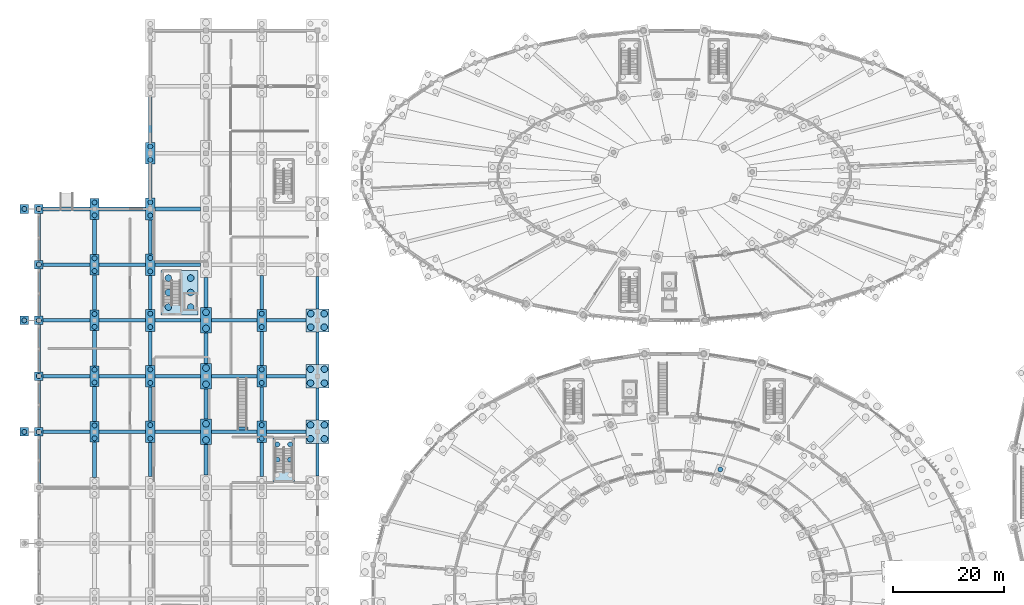
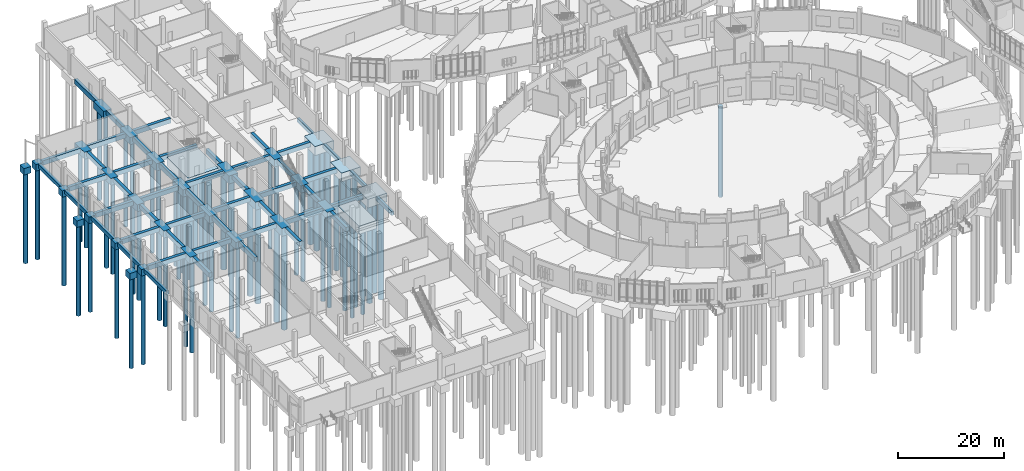
# One storey, part 4 of 140: 81 footings, 65 piles.
"""IFC4 building model written with IfcOpenShell, lengths in metres."""

import ifcopenshell
import ifcopenshell.guid

model = None  # the IFC model being written
_history = None  # IfcOwnerHistory: only IFC2X3 demands one
_inside = {}  # id of a spatial element -> (the spatial element, [elements in it])
_under = {}  # id of a project, library or spatial element -> (it, [spatial elements below it])
_declared = {}  # id of a project -> (the project, [libraries it declares])
_typed = {}  # id of a type object -> (the type object, [elements of that type])
_made_of = {}  # id of a material, layer set ... -> (it, [elements and type objects made of it])


def new_model(schema):
    """Start an empty IFC model of exactly this schema.

    Asked for "IFC4X3", IfcOpenShell would pick the latest addendum, in which some entities
    have other attributes; the version numbers below select the first issue.
    IFC2X3 requires an IfcOwnerHistory on every rooted entity: one is made here for all.
    """
    global model, _history
    if schema == "IFC4X3":
        model = ifcopenshell.file(schema_version=(4, 3, 0, 0))
    else:
        model = ifcopenshell.file(schema=schema)
    _inside.clear()
    _under.clear()
    _declared.clear()
    _typed.clear()
    _made_of.clear()
    _history = None
    if model.schema == "IFC2X3":
        org = make("IfcOrganization", Name="unknown")
        user = make(
            "IfcPersonAndOrganization",
            ThePerson=make("IfcPerson", FamilyName="unknown"),
            TheOrganization=org,
        )
        app = make(
            "IfcApplication",
            ApplicationDeveloper=org,
            Version="unknown",
            ApplicationFullName="unknown",
            ApplicationIdentifier="unknown",
        )
        _history = make(
            "IfcOwnerHistory",
            OwningUser=user,
            OwningApplication=app,
            ChangeAction="ADDED",
            CreationDate=0,
        )
    return model


def make(cls, **values):
    """One entity of the class cls with the attributes given. An attribute that is None is left unset."""
    return model.create_entity(
        cls, **{name: value for name, value in values.items() if value is not None}
    )


def rooted(cls, **values):
    """An entity with a GlobalId (a new one), such as an element, a storey or a relation."""
    return make(cls, GlobalId=ifcopenshell.guid.new(), OwnerHistory=_history, **values)


def si_unit(unit_type, name, prefix=None):
    """IfcSIUnit, for example si_unit("LENGTHUNIT", "METRE", prefix="MILLI")."""
    return make("IfcSIUnit", UnitType=unit_type, Prefix=prefix, Name=name)


def assignment(units):
    """IfcUnitAssignment: the units of a project."""
    return None if units is None else make("IfcUnitAssignment", Units=units)


def point(xyz):
    """IfcCartesianPoint."""
    return None if xyz is None else make("IfcCartesianPoint", Coordinates=xyz)


def direction(xyz):
    """IfcDirection."""
    return None if xyz is None else make("IfcDirection", DirectionRatios=xyz)


def frame(location, z_axis=None, x_axis=None):
    """IfcAxis2Placement3D, a coordinate frame: its origin and axes. An axis left out is left unset."""
    return make(
        "IfcAxis2Placement3D",
        Location=point(location),
        Axis=direction(z_axis),
        RefDirection=direction(x_axis),
    )


def frame_2d(location, x_axis=None):
    """IfcAxis2Placement2D, a coordinate frame in the plane: its origin and x axis."""
    return make(
        "IfcAxis2Placement2D", Location=point(location), RefDirection=direction(x_axis)
    )


def origin():
    """The frame at (0, 0, 0) with its axes left unset."""
    return frame((0.0, 0.0, 0.0))


def origin_2d():
    """The frame at (0, 0) in the plane with its x axis left unset."""
    return frame_2d((0.0, 0.0))


def place(relative_to, where):
    """IfcLocalPlacement: puts the frame where relative to a parent placement (None: the world)."""
    return make(
        "IfcLocalPlacement", PlacementRelTo=relative_to, RelativePlacement=where
    )


def context(
    kind, dimensions, precision=None, world=None, true_north=None, identifier=None
):
    """IfcGeometricRepresentationContext, for example the 3D "Model" context."""
    return make(
        "IfcGeometricRepresentationContext",
        ContextIdentifier=identifier,
        ContextType=kind,
        CoordinateSpaceDimension=dimensions,
        Precision=precision,
        WorldCoordinateSystem=world,
        TrueNorth=true_north,
    )


def subcontext(parent, identifier, kind, view, scale=None):
    """IfcGeometricRepresentationSubContext, for example "Body" below "Model"."""
    return make(
        "IfcGeometricRepresentationSubContext",
        ContextIdentifier=identifier,
        ContextType=kind,
        ParentContext=parent,
        TargetScale=scale,
        TargetView=view,
    )


def project(units=None, contexts=None):
    """IfcProject with its units and contexts."""
    return rooted(
        "IfcProject",
        Name="project",
        RepresentationContexts=contexts,
        UnitsInContext=assignment(units),
    )


def spatial(cls, under=None, at=None, **own):
    """A site, building, storey or space (cls), placed at a placement, below another one or the project."""
    s = rooted(cls, ObjectPlacement=at, **own)
    if under is not None:
        _under.setdefault(under.id(), (under, []))[1].append(s)
    return s


def profile(cls, at=None, kind="AREA", **sizes):
    """A parametric profile (cls). Its sizes go by their IFC names, for example OverallWidth=200.0."""
    return make(cls, ProfileType=kind, Position=at, **sizes)


def rectangle(**sizes):
    """IfcRectangleProfileDef."""
    return profile("IfcRectangleProfileDef", **sizes)


def circle(**sizes):
    """IfcCircleProfileDef."""
    return profile("IfcCircleProfileDef", **sizes)


def extrude(swept, where, along, depth):
    """IfcExtrudedAreaSolid: the profile swept, set in the frame where, extruded along a direction by depth."""
    return make(
        "IfcExtrudedAreaSolid",
        SweptArea=swept,
        Position=where,
        ExtrudedDirection=direction(along),
        Depth=depth,
    )


def shape(context_of_items, identifier, shape_type, items):
    """IfcShapeRepresentation: the items that make up one representation, for example the "Body"."""
    return make(
        "IfcShapeRepresentation",
        ContextOfItems=context_of_items,
        RepresentationIdentifier=identifier,
        RepresentationType=shape_type,
        Items=items,
    )


def material(Name=None, Category=None):
    """IfcMaterial."""
    return make("IfcMaterial", Name=Name, Category=Category)


def layer(
    of_material, thickness, ventilated=None, Name=None, Category=None, Priority=None
):
    """IfcMaterialLayer: one layer of a wall or slab, of a material (None: an air gap)."""
    return make(
        "IfcMaterialLayer",
        Material=of_material,
        LayerThickness=thickness,
        IsVentilated=ventilated,
        Name=Name,
        Category=Category,
        Priority=Priority,
    )


def layer_set(layers, Name=None):
    """IfcMaterialLayerSet."""
    return make("IfcMaterialLayerSet", MaterialLayers=layers, LayerSetName=Name)


def material_profile(
    of_material, cross_section, Name=None, Category=None, Priority=None
):
    """IfcMaterialProfile: a cross section and its material."""
    return make(
        "IfcMaterialProfile",
        Name=Name,
        Material=of_material,
        Profile=cross_section,
        Priority=Priority,
        Category=Category,
    )


def profile_set(profiles, Name=None, composite=None):
    """IfcMaterialProfileSet."""
    return make(
        "IfcMaterialProfileSet",
        Name=Name,
        MaterialProfiles=profiles,
        CompositeProfile=composite,
    )


def made_of(thing, what):
    """Note that an element or type object is made of a material, layer set ...; save() writes the relation."""
    if what is not None:
        _made_of.setdefault(what.id(), (what, []))[1].append(thing)
    return thing


def type_object(cls, material=None, **own):
    """A type object (cls), such as IfcWallType, which elements share."""
    return made_of(rooted(cls, **own), material)


def element(
    cls,
    number,
    at=None,
    inside=None,
    cuts=None,
    type_object=None,
    material=None,
    context=None,
    identifier="Body",
    shape_type=None,
    held_by="IfcProductDefinitionShape",
    body=None,
    shapes=None,
    **own,
):
    """One element of the class cls, such as IfcWall. Its Tag is "e" and its number.

    at: its placement. inside: the storey or other place that contains it. cuts: it is an
    opening in that element (IfcRelVoidsElement). A single representation is given by context,
    identifier, shape_type and body (its items); several are given by shapes. held_by: the class
    of the entity that holds the representations. save() writes the other relations.
    """
    e = rooted(cls, Tag="e%d" % number, ObjectPlacement=at, **own)
    if body is not None:
        shapes = [shape(context, identifier, shape_type, body)]
    if shapes is not None:
        e.Representation = make(held_by, Representations=shapes)
    if inside is not None:
        _inside.setdefault(inside.id(), (inside, []))[1].append(e)
    if cuts is not None:
        rooted(
            "IfcRelVoidsElement", RelatingBuildingElement=cuts, RelatedOpeningElement=e
        )
    if type_object is not None:
        _typed.setdefault(type_object.id(), (type_object, []))[1].append(e)
    return made_of(e, material)


def aggregate(whole, parts):
    """IfcRelAggregates: a whole, such as a stair, and the parts it consists of."""
    return rooted("IfcRelAggregates", RelatingObject=whole, RelatedObjects=parts)


def save(model, path):
    """Write the relations noted so far, then the file.

    IfcRelAggregates (storeys below a building ...), IfcRelContainedInSpatialStructure (elements
    in a storey), IfcRelDefinesByType, IfcRelAssociatesMaterial and IfcRelDeclares: one each for
    every whole, place, type object, material and project.
    """
    for whole, parts in _under.values():
        aggregate(whole, parts)
    for where, things in _inside.values():
        rooted(
            "IfcRelContainedInSpatialStructure",
            RelatedElements=things,
            RelatingStructure=where,
        )
    for kind, things in _typed.values():
        rooted("IfcRelDefinesByType", RelatedObjects=things, RelatingType=kind)
    for what, things in _made_of.values():
        rooted("IfcRelAssociatesMaterial", RelatedObjects=things, RelatingMaterial=what)
    for by, libraries in _declared.values():
        rooted("IfcRelDeclares", RelatingContext=by, RelatedDefinitions=libraries)
    model.write(path)


model = new_model("IFC4")

# Units and contexts
model_context = context("Model", 3, precision=1e-05, world=origin(), true_north=direction((0.0, 1.0)))
body_context = subcontext(model_context, "Body", "Model", "MODEL_VIEW")
ifc_project = project(units=[si_unit("LENGTHUNIT", "METRE"), si_unit("AREAUNIT", "SQUARE_METRE"), si_unit("VOLUMEUNIT", "CUBIC_METRE"), si_unit("PLANEANGLEUNIT", "RADIAN"), si_unit("MASSUNIT", "GRAM", prefix="KILO")], contexts=[model_context])

# Site, building, storey
site_placement = place(None, origin())
site = spatial("IfcSite", under=ifc_project, at=site_placement, CompositionType="ELEMENT")
building_placement = place(site_placement, origin())
building = spatial("IfcBuilding", under=site, at=building_placement, Name="Corvandel Quay Wholesale Market", CompositionType="ELEMENT")
storey_placement = place(building_placement, origin())
storey = spatial("IfcBuildingStorey", under=building, at=storey_placement, Name="L00", CompositionType="ELEMENT", Elevation=0.0)

# Piles
ifc_material = material(Name="Concrete C40/50", Category="concrete")
ifc_material_profile_1 = material_profile(ifc_material, circle(Radius=0.60009765625, at=origin_2d()), Name="RC-PILE-D1200")
ifc_profile_set_1 = profile_set([ifc_material_profile_1], Name="Concrete C40/50")
pile_type_1 = type_object("IfcPileType", Name="Bored Pile D1200 L22.2", PredefinedType="BORED", material=ifc_profile_set_1)
for number, where, z_axis, x_axis, name in (
    (1, (30.0, 68.550048828125, -1.75), (0.0, 0.0, -1.0), (1.0, 0.0, 0.0), "Bored Pile PIL-0650"),
    (2, (30.0, 71.449951171875, -1.75), (0.0, 0.0, -1.0), (1.0, 0.0, 0.0), "Bored Pile PIL-0651"),
    (3, (30.0, 78.550048828125, -1.75), (0.0, 0.0, -1.0), (1.0, 0.0, 0.0), "Bored Pile PIL-0652"),
    (4, (30.0, 81.449951171875, -1.75), (0.0, 0.0, -1.0), (1.0, 0.0, 0.0), "Bored Pile PIL-0653"),
    (5, (30.0, 88.550048828125, -1.75), (0.0, 0.0, -1.0), (1.0, 0.0, 0.0), "Bored Pile PIL-0654"),
    (6, (30.0, 91.449951171875, -1.75), (0.0, 0.0, -1.0), (1.0, 0.0, 0.0), "Bored Pile PIL-0655"),
):
    element("IfcPile", number, at=place(storey_placement, frame(where, z_axis=z_axis, x_axis=x_axis)), inside=storey, type_object=pile_type_1, Name=name, PredefinedType="BORED", context=body_context, shape_type="SweptSolid", body=[
        extrude(circle(Radius=0.60009765625, at=origin_2d()), origin(), (0.0, 0.0, 1.0), 22.199951171875),
    ])
ifc_material_profile_2 = material_profile(ifc_material, circle(Radius=0.60009765625, at=origin_2d()), Name="RC-PILE-D1200")
ifc_profile_set_2 = profile_set([ifc_material_profile_2], Name="Concrete C40/50")
pile_type_2 = type_object("IfcPileType", Name="Bored Pile D1200 L22.6", PredefinedType="BORED", material=ifc_profile_set_2)
for number, where, z_axis, x_axis, name in (
    (7, (23.25, 92.39990234375, -1.89990234375), (0.0, 0.0, -1.0), (1.0, 0.0, 0.0), "Bored Pile PIL-0029"),
    (8, (27.25, 92.39990234375, -1.89990234375), (0.0, 0.0, -1.0), (1.0, 0.0, 0.0), "Bored Pile PIL-0030"),
    (9, (23.25, 95.0, -1.89990234375), (0.0, 0.0, -1.0), (1.0, 0.0, 0.0), "Bored Pile PIL-0031"),
    (10, (27.25, 95.0, -1.89990234375), (0.0, 0.0, -1.0), (1.0, 0.0, 0.0), "Bored Pile PIL-0032"),
    (11, (23.25, 97.60009765625, -1.89990234375), (0.0, 0.0, -1.0), (1.0, 0.0, 0.0), "Bored Pile PIL-0033"),
    (12, (27.25, 97.60009765625, -1.89990234375), (0.0, 0.0, -1.0), (1.0, 0.0, 0.0), "Bored Pile PIL-0034"),
    (13, (48.75, 68.75, -1.89990234375), (0.0, 0.0, -1.0), (1.0, 0.0, 0.0), "Bored Pile PIL-0718"),
    (14, (51.25, 68.75, -1.89990234375), (0.0, 0.0, -1.0), (1.0, 0.0, 0.0), "Bored Pile PIL-0719"),
    (15, (48.75, 71.25, -1.89990234375), (0.0, 0.0, -1.0), (1.0, 0.0, 0.0), "Bored Pile PIL-0720"),
    (16, (51.25, 71.25, -1.89990234375), (0.0, 0.0, -1.0), (1.0, 0.0, 0.0), "Bored Pile PIL-0721"),
    (17, (48.75, 78.75, -1.89990234375), (0.0, 0.0, -1.0), (1.0, 0.0, 0.0), "Bored Pile PIL-0722"),
    (18, (51.25, 78.75, -1.89990234375), (0.0, 0.0, -1.0), (1.0, 0.0, 0.0), "Bored Pile PIL-0723"),
    (19, (48.75, 81.25, -1.89990234375), (0.0, 0.0, -1.0), (1.0, 0.0, 0.0), "Bored Pile PIL-0724"),
    (20, (51.25, 81.25, -1.89990234375), (0.0, 0.0, -1.0), (1.0, 0.0, 0.0), "Bored Pile PIL-0725"),
    (21, (48.800048828125, 88.800048828125, -1.949951171875), (0.0, 0.0, -1.0), (1.0, 0.0, 0.0), "Bored Pile PIL-0726"),
    (22, (51.199951171875, 88.800048828125, -1.949951171875), (0.0, 0.0, -1.0), (1.0, 0.0, 0.0), "Bored Pile PIL-0727"),
    (23, (48.800048828125, 91.199951171875, -1.949951171875), (0.0, 0.0, -1.0), (1.0, 0.0, 0.0), "Bored Pile PIL-0728"),
    (24, (51.199951171875, 91.199951171875, -1.949951171875), (0.0, 0.0, -1.0), (1.0, 0.0, 0.0), "Bored Pile PIL-0729"),
):
    element("IfcPile", number, at=place(storey_placement, frame(where, z_axis=z_axis, x_axis=x_axis)), inside=storey, type_object=pile_type_2, Name=name, PredefinedType="BORED", context=body_context, shape_type="SweptSolid", body=[
        extrude(circle(Radius=0.60009765625, at=origin_2d()), origin(), (0.0, 0.0, 1.0), 22.60009765625),
    ])
ifc_material_profile_3 = material_profile(ifc_material, circle(Radius=0.449951171875, at=origin_2d()), Name="RC-PILE-D900")
ifc_profile_set_3 = profile_set([ifc_material_profile_3], Name="Concrete C40/50")
pile_type_3 = type_object("IfcPileType", Name="Bored Pile D900 L21.0", PredefinedType="BORED", material=ifc_profile_set_3)
for number, where, z_axis, x_axis, name in (
    (25, (122.2939453125, 63.263916015625, -1.5), (0.0, 0.0, -1.0), (1.0, 0.0, 0.0), "Bored Pile PIL-0175"),
    (26, (-2.60009765625, 70.0, -1.39990234375), (0.0, 0.0, -1.0), (1.0, 0.0, 0.0), "Bored Pile PIL-0574"),
    (27, (-2.60009765625, 90.0, -1.39990234375), (0.0, 0.0, -1.0), (1.0, 0.0, 0.0), "Bored Pile PIL-0575"),
    (28, (-2.60009765625, 110.0, -1.39990234375), (0.0, 0.0, -1.0), (1.0, 0.0, 0.0), "Bored Pile PIL-0576"),
    (29, (0.0, 70.0, -1.39990234375), (0.0, 0.0, -1.0), (1.0, 0.0, 0.0), "Bored Pile PIL-0583"),
    (30, (0.0, 80.0, -1.39990234375), (0.0, 0.0, -1.0), (1.0, 0.0, 0.0), "Bored Pile PIL-0584"),
    (31, (0.0, 90.0, -1.39990234375), (0.0, 0.0, -1.0), (1.0, 0.0, 0.0), "Bored Pile PIL-0585"),
    (32, (0.0, 100.0, -1.39990234375), (0.0, 0.0, -1.0), (1.0, 0.0, 0.0), "Bored Pile PIL-0586"),
    (33, (0.0, 110.0, -1.39990234375), (0.0, 0.0, -1.0), (1.0, 0.0, 0.0), "Bored Pile PIL-0587"),
    (34, (10.0, 68.85009765625, -1.5), (0.0, 0.0, -1.0), (1.0, 0.0, 0.0), "Bored Pile PIL-0600"),
    (35, (10.0, 71.14990234375, -1.5), (0.0, 0.0, -1.0), (1.0, 0.0, 0.0), "Bored Pile PIL-0601"),
    (36, (10.0, 78.85009765625, -1.5), (0.0, 0.0, -1.0), (1.0, 0.0, 0.0), "Bored Pile PIL-0602"),
    (37, (10.0, 81.14990234375, -1.5), (0.0, 0.0, -1.0), (1.0, 0.0, 0.0), "Bored Pile PIL-0603"),
    (38, (10.0, 88.85009765625, -1.5), (0.0, 0.0, -1.0), (1.0, 0.0, 0.0), "Bored Pile PIL-0604"),
    (39, (10.0, 91.14990234375, -1.5), (0.0, 0.0, -1.0), (1.0, 0.0, 0.0), "Bored Pile PIL-0605"),
    (40, (10.0, 98.85009765625, -1.5), (0.0, 0.0, -1.0), (1.0, 0.0, 0.0), "Bored Pile PIL-0606"),
    (41, (10.0, 101.14990234375, -1.5), (0.0, 0.0, -1.0), (1.0, 0.0, 0.0), "Bored Pile PIL-0607"),
    (42, (10.0, 108.85009765625, -1.5), (0.0, 0.0, -1.0), (1.0, 0.0, 0.0), "Bored Pile PIL-0608"),
    (43, (10.0, 111.14990234375, -1.5), (0.0, 0.0, -1.0), (1.0, 0.0, 0.0), "Bored Pile PIL-0609"),
    (44, (20.0, 68.800048828125, -1.550048828125), (0.0, 0.0, -1.0), (1.0, 0.0, 0.0), "Bored Pile PIL-0622"),
    (45, (20.0, 71.199951171875, -1.550048828125), (0.0, 0.0, -1.0), (1.0, 0.0, 0.0), "Bored Pile PIL-0623"),
    (46, (20.0, 78.800048828125, -1.550048828125), (0.0, 0.0, -1.0), (1.0, 0.0, 0.0), "Bored Pile PIL-0624"),
    (47, (20.0, 81.199951171875, -1.550048828125), (0.0, 0.0, -1.0), (1.0, 0.0, 0.0), "Bored Pile PIL-0625"),
    (48, (20.0, 88.800048828125, -1.550048828125), (0.0, 0.0, -1.0), (1.0, 0.0, 0.0), "Bored Pile PIL-0626"),
    (49, (20.0, 91.199951171875, -1.550048828125), (0.0, 0.0, -1.0), (1.0, 0.0, 0.0), "Bored Pile PIL-0627"),
    (50, (20.0, 98.800048828125, -1.550048828125), (0.0, 0.0, -1.0), (1.0, 0.0, 0.0), "Bored Pile PIL-0628"),
    (51, (20.0, 101.199951171875, -1.550048828125), (0.0, 0.0, -1.0), (1.0, 0.0, 0.0), "Bored Pile PIL-0629"),
    (52, (20.0, 108.800048828125, -1.550048828125), (0.0, 0.0, -1.0), (1.0, 0.0, 0.0), "Bored Pile PIL-0630"),
    (53, (20.0, 111.199951171875, -1.550048828125), (0.0, 0.0, -1.0), (1.0, 0.0, 0.0), "Bored Pile PIL-0631"),
    (54, (20.0, 118.800048828125, -1.550048828125), (0.0, 0.0, -1.0), (1.0, 0.0, 0.0), "Bored Pile PIL-0632"),
    (55, (20.0, 121.199951171875, -1.550048828125), (0.0, 0.0, -1.0), (1.0, 0.0, 0.0), "Bored Pile PIL-0633"),
    (56, (40.0, 68.800048828125, -1.550048828125), (0.0, 0.0, -1.0), (1.0, 0.0, 0.0), "Bored Pile PIL-0678"),
    (57, (40.0, 71.199951171875, -1.550048828125), (0.0, 0.0, -1.0), (1.0, 0.0, 0.0), "Bored Pile PIL-0679"),
    (58, (40.0, 78.800048828125, -1.550048828125), (0.0, 0.0, -1.0), (1.0, 0.0, 0.0), "Bored Pile PIL-0680"),
    (59, (40.0, 81.199951171875, -1.550048828125), (0.0, 0.0, -1.0), (1.0, 0.0, 0.0), "Bored Pile PIL-0681"),
    (60, (40.0, 88.800048828125, -1.550048828125), (0.0, 0.0, -1.0), (1.0, 0.0, 0.0), "Bored Pile PIL-0682"),
    (61, (40.0, 91.199951171875, -1.550048828125), (0.0, 0.0, -1.0), (1.0, 0.0, 0.0), "Bored Pile PIL-0683"),
):
    element("IfcPile", number, at=place(storey_placement, frame(where, z_axis=z_axis, x_axis=x_axis)), inside=storey, type_object=pile_type_3, Name=name, PredefinedType="BORED", context=body_context, shape_type="SweptSolid", body=[
        extrude(circle(Radius=0.449951171875, at=origin_2d()), origin(), (0.0, 0.0, 1.0), 21.0),
    ])
ifc_material_profile_4 = material_profile(ifc_material, circle(Radius=0.449951171875, at=origin_2d()), Name="RC-PILE-D900")
ifc_profile_set_4 = profile_set([ifc_material_profile_4], Name="Concrete C40/50")
pile_type_4 = type_object("IfcPileType", Name="Bored Pile D900 L21.8", PredefinedType="BORED", material=ifc_profile_set_4)
for number, where, z_axis, x_axis, name in (
    (62, (42.800048828125, 65.0, -1.800048828125), (0.0, 0.0, -1.0), (1.0, 0.0, 0.0), "Bored Pile PIL-0085"),
    (63, (45.10009765625, 65.0, -1.800048828125), (0.0, 0.0, -1.0), (1.0, 0.0, 0.0), "Bored Pile PIL-0086"),
    (64, (42.800048828125, 67.75, -1.800048828125), (0.0, 0.0, -1.0), (1.0, 0.0, 0.0), "Bored Pile PIL-0087"),
    (65, (45.10009765625, 67.75, -1.800048828125), (0.0, 0.0, -1.0), (1.0, 0.0, 0.0), "Bored Pile PIL-0088"),
):
    element("IfcPile", number, at=place(storey_placement, frame(where, z_axis=z_axis, x_axis=x_axis)), inside=storey, type_object=pile_type_4, Name=name, PredefinedType="BORED", context=body_context, shape_type="SweptSolid", body=[
        extrude(circle(Radius=0.449951171875, at=origin_2d()), origin(), (0.0, 0.0, 1.0), 21.800048828125),
    ])

# Footings
ifc_layer_1 = layer(ifc_material, 1.050048828125)
ifc_layer_set_1 = layer_set([ifc_layer_1], Name="Concrete C40/50")
footing_type_1 = type_object("IfcFootingType", Name="Cold Store Grade Beam GB04 650x1050", PredefinedType="FOOTING_BEAM", material=ifc_layer_set_1)
footing_1_placement = place(storey_placement, frame((4.987060546875, 70.0, -1.0498046875), z_axis=(0.0, 0.0, 1.0), x_axis=(1.0, 0.0, 0.0)))
element("IfcFooting", 66, at=footing_1_placement, inside=storey, type_object=footing_type_1, Name="Grade Beam FND-0517", PredefinedType="FOOTING_BEAM", context=body_context, shape_type="SweptSolid", body=[
    extrude(rectangle(XDim=8.425048828125, YDim=0.64990234375, at=origin_2d()), origin(), (0.0, 0.0, 1.0), 1.050048828125),
])
footing_2_placement = place(storey_placement, frame((14.962890625, 70.0, -1.0498046875), z_axis=(0.0, 0.0, 1.0), x_axis=(1.0, 0.0, 0.0)))
element("IfcFooting", 67, at=footing_2_placement, inside=storey, type_object=footing_type_1, Name="Grade Beam FND-0518", PredefinedType="FOOTING_BEAM", context=body_context, shape_type="SweptSolid", body=[
    extrude(rectangle(XDim=8.324951171875, YDim=0.64990234375, at=origin_2d()), origin(), (0.0, 0.0, 1.0), 1.050048828125),
])
for number, where, z_axis, x_axis, name in (
    (68, (24.93798828125, 70.0, -1.0498046875), (0.0, 0.0, 1.0), (1.0, 0.0, 0.0), "Grade Beam FND-0519"),
    (69, (35.06201171875, 70.0, -1.0498046875), (0.0, 0.0, 1.0), (1.0, 0.0, 0.0), "Grade Beam FND-0520"),
):
    element("IfcFooting", number, at=place(storey_placement, frame(where, z_axis=z_axis, x_axis=x_axis)), inside=storey, type_object=footing_type_1, Name=name, PredefinedType="FOOTING_BEAM", context=body_context, shape_type="SweptSolid", body=[
        extrude(rectangle(XDim=8.125, YDim=0.64990234375, at=origin_2d()), origin(), (0.0, 0.0, 1.0), 1.050048828125),
    ])
footing_3_placement = place(storey_placement, frame((44.387939453125, 70.0, -1.0498046875), z_axis=(0.0, 0.0, 1.0), x_axis=(1.0, 0.0, 0.0)))
element("IfcFooting", 70, at=footing_3_placement, inside=storey, type_object=footing_type_1, Name="Grade Beam FND-0521", PredefinedType="FOOTING_BEAM", context=body_context, shape_type="SweptSolid", body=[
    extrude(rectangle(XDim=7.02490234375, YDim=0.64990234375, at=origin_2d()), origin(), (0.0, 0.0, 1.0), 1.050048828125),
])
footing_4_placement = place(storey_placement, frame((4.987060546875, 80.0, -1.0498046875), z_axis=(0.0, 0.0, 1.0), x_axis=(1.0, 0.0, 0.0)))
element("IfcFooting", 71, at=footing_4_placement, inside=storey, type_object=footing_type_1, Name="Grade Beam FND-0522", PredefinedType="FOOTING_BEAM", context=body_context, shape_type="SweptSolid", body=[
    extrude(rectangle(XDim=8.425048828125, YDim=0.64990234375, at=origin_2d()), origin(), (0.0, 0.0, 1.0), 1.050048828125),
])
footing_5_placement = place(storey_placement, frame((14.962890625, 80.0, -1.0498046875), z_axis=(0.0, 0.0, 1.0), x_axis=(1.0, 0.0, 0.0)))
element("IfcFooting", 72, at=footing_5_placement, inside=storey, type_object=footing_type_1, Name="Grade Beam FND-0523", PredefinedType="FOOTING_BEAM", context=body_context, shape_type="SweptSolid", body=[
    extrude(rectangle(XDim=8.324951171875, YDim=0.64990234375, at=origin_2d()), origin(), (0.0, 0.0, 1.0), 1.050048828125),
])
for number, where, z_axis, x_axis, name in (
    (73, (24.93798828125, 80.0, -1.0498046875), (0.0, 0.0, 1.0), (1.0, 0.0, 0.0), "Grade Beam FND-0524"),
    (74, (35.06201171875, 80.0, -1.0498046875), (0.0, 0.0, 1.0), (1.0, 0.0, 0.0), "Grade Beam FND-0525"),
):
    element("IfcFooting", number, at=place(storey_placement, frame(where, z_axis=z_axis, x_axis=x_axis)), inside=storey, type_object=footing_type_1, Name=name, PredefinedType="FOOTING_BEAM", context=body_context, shape_type="SweptSolid", body=[
        extrude(rectangle(XDim=8.125, YDim=0.64990234375, at=origin_2d()), origin(), (0.0, 0.0, 1.0), 1.050048828125),
    ])
footing_6_placement = place(storey_placement, frame((44.387939453125, 80.0, -1.0498046875), z_axis=(0.0, 0.0, 1.0), x_axis=(1.0, 0.0, 0.0)))
element("IfcFooting", 75, at=footing_6_placement, inside=storey, type_object=footing_type_1, Name="Grade Beam FND-0526", PredefinedType="FOOTING_BEAM", context=body_context, shape_type="SweptSolid", body=[
    extrude(rectangle(XDim=7.02490234375, YDim=0.64990234375, at=origin_2d()), origin(), (0.0, 0.0, 1.0), 1.050048828125),
])
footing_7_placement = place(storey_placement, frame((4.987060546875, 90.0, -1.0498046875), z_axis=(0.0, 0.0, 1.0), x_axis=(1.0, 0.0, 0.0)))
element("IfcFooting", 76, at=footing_7_placement, inside=storey, type_object=footing_type_1, Name="Grade Beam FND-0527", PredefinedType="FOOTING_BEAM", context=body_context, shape_type="SweptSolid", body=[
    extrude(rectangle(XDim=8.425048828125, YDim=0.64990234375, at=origin_2d()), origin(), (0.0, 0.0, 1.0), 1.050048828125),
])
footing_8_placement = place(storey_placement, frame((14.962890625, 90.0, -1.0498046875), z_axis=(0.0, 0.0, 1.0), x_axis=(1.0, 0.0, 0.0)))
element("IfcFooting", 77, at=footing_8_placement, inside=storey, type_object=footing_type_1, Name="Grade Beam FND-0528", PredefinedType="FOOTING_BEAM", context=body_context, shape_type="SweptSolid", body=[
    extrude(rectangle(XDim=8.324951171875, YDim=0.64990234375, at=origin_2d()), origin(), (0.0, 0.0, 1.0), 1.050048828125),
])
for number, where, z_axis, x_axis, name in (
    (78, (24.93798828125, 90.0, -1.0498046875), (0.0, 0.0, 1.0), (1.0, 0.0, 0.0), "Grade Beam FND-0529"),
    (79, (35.06201171875, 90.0, -1.0498046875), (0.0, 0.0, 1.0), (1.0, 0.0, 0.0), "Grade Beam FND-0530"),
):
    element("IfcFooting", number, at=place(storey_placement, frame(where, z_axis=z_axis, x_axis=x_axis)), inside=storey, type_object=footing_type_1, Name=name, PredefinedType="FOOTING_BEAM", context=body_context, shape_type="SweptSolid", body=[
        extrude(rectangle(XDim=8.125, YDim=0.64990234375, at=origin_2d()), origin(), (0.0, 0.0, 1.0), 1.050048828125),
    ])
footing_9_placement = place(storey_placement, frame((44.4130859375, 90.0, -1.0498046875), z_axis=(0.0, 0.0, 1.0), x_axis=(1.0, 0.0, 0.0)))
element("IfcFooting", 80, at=footing_9_placement, inside=storey, type_object=footing_type_1, Name="Grade Beam FND-0531", PredefinedType="FOOTING_BEAM", context=body_context, shape_type="SweptSolid", body=[
    extrude(rectangle(XDim=7.074951171875, YDim=0.64990234375, at=origin_2d()), origin(), (0.0, 0.0, 1.0), 1.050048828125),
])
footing_10_placement = place(storey_placement, frame((4.987060546875, 100.0, -1.0498046875), z_axis=(0.0, 0.0, 1.0), x_axis=(1.0, 0.0, 0.0)))
element("IfcFooting", 81, at=footing_10_placement, inside=storey, type_object=footing_type_1, Name="Grade Beam FND-0532", PredefinedType="FOOTING_BEAM", context=body_context, shape_type="SweptSolid", body=[
    extrude(rectangle(XDim=8.425048828125, YDim=0.64990234375, at=origin_2d()), origin(), (0.0, 0.0, 1.0), 1.050048828125),
])
footing_11_placement = place(storey_placement, frame((14.962890625, 100.0, -1.0498046875), z_axis=(0.0, 0.0, 1.0), x_axis=(1.0, 0.0, 0.0)))
element("IfcFooting", 82, at=footing_11_placement, inside=storey, type_object=footing_type_1, Name="Grade Beam FND-0533", PredefinedType="FOOTING_BEAM", context=body_context, shape_type="SweptSolid", body=[
    extrude(rectangle(XDim=8.324951171875, YDim=0.64990234375, at=origin_2d()), origin(), (0.0, 0.0, 1.0), 1.050048828125),
])
footing_12_placement = place(storey_placement, frame((24.93798828125, 100.0, -1.0498046875), z_axis=(0.0, 0.0, 1.0), x_axis=(1.0, 0.0, 0.0)))
element("IfcFooting", 83, at=footing_12_placement, inside=storey, type_object=footing_type_1, Name="Grade Beam FND-0534", PredefinedType="FOOTING_BEAM", context=body_context, shape_type="SweptSolid", body=[
    extrude(rectangle(XDim=8.125, YDim=0.64990234375, at=origin_2d()), origin(), (0.0, 0.0, 1.0), 1.050048828125),
])
footing_13_placement = place(storey_placement, frame((4.987060546875, 110.0, -1.0498046875), z_axis=(0.0, 0.0, 1.0), x_axis=(1.0, 0.0, 0.0)))
element("IfcFooting", 84, at=footing_13_placement, inside=storey, type_object=footing_type_1, Name="Grade Beam FND-0537", PredefinedType="FOOTING_BEAM", context=body_context, shape_type="SweptSolid", body=[
    extrude(rectangle(XDim=8.425048828125, YDim=0.64990234375, at=origin_2d()), origin(), (0.0, 0.0, 1.0), 1.050048828125),
])
footing_14_placement = place(storey_placement, frame((14.962890625, 110.0, -1.0498046875), z_axis=(0.0, 0.0, 1.0), x_axis=(1.0, 0.0, 0.0)))
element("IfcFooting", 85, at=footing_14_placement, inside=storey, type_object=footing_type_1, Name="Grade Beam FND-0538", PredefinedType="FOOTING_BEAM", context=body_context, shape_type="SweptSolid", body=[
    extrude(rectangle(XDim=8.324951171875, YDim=0.64990234375, at=origin_2d()), origin(), (0.0, 0.0, 1.0), 1.050048828125),
])
footing_15_placement = place(storey_placement, frame((24.93798828125, 110.0, -1.0498046875), z_axis=(0.0, 0.0, 1.0), x_axis=(1.0, 0.0, 0.0)))
element("IfcFooting", 86, at=footing_15_placement, inside=storey, type_object=footing_type_1, Name="Grade Beam FND-0539", PredefinedType="FOOTING_BEAM", context=body_context, shape_type="SweptSolid", body=[
    extrude(rectangle(XDim=8.125, YDim=0.64990234375, at=origin_2d()), origin(), (0.0, 0.0, 1.0), 1.050048828125),
])
for number, where, z_axis, x_axis, name in (
    (87, (10.0, 65.0, -1.0498046875), (0.0, 0.0, 1.0), (0.0, 1.0, 0.0), "Grade Beam FND-0566"),
    (88, (10.0, 75.0, -1.0498046875), (0.0, 0.0, 1.0), (0.0, 1.0, 0.0), "Grade Beam FND-0567"),
    (89, (10.0, 85.0, -1.0498046875), (0.0, 0.0, 1.0), (0.0, 1.0, 0.0), "Grade Beam FND-0568"),
    (90, (10.0, 95.0, -1.0498046875), (0.0, 0.0, 1.0), (0.0, 1.0, 0.0), "Grade Beam FND-0569"),
    (91, (10.0, 105.0, -1.0498046875), (0.0, 0.0, 1.0), (0.0, 1.0, 0.0), "Grade Beam FND-0570"),
):
    element("IfcFooting", number, at=place(storey_placement, frame(where, z_axis=z_axis, x_axis=x_axis)), inside=storey, type_object=footing_type_1, Name=name, PredefinedType="FOOTING_BEAM", context=body_context, shape_type="SweptSolid", body=[
        extrude(rectangle(XDim=6.300048828125, YDim=0.64990234375, at=origin_2d()), origin(), (0.0, 0.0, 1.0), 1.050048828125),
    ])
for number, where, z_axis, x_axis, name in (
    (92, (20.0, 65.0, -1.0498046875), (0.0, 0.0, 1.0), (0.0, 1.0, 0.0), "Grade Beam FND-0576"),
    (93, (20.0, 75.0, -1.0498046875), (0.0, 0.0, 1.0), (0.0, 1.0, 0.0), "Grade Beam FND-0577"),
    (94, (20.0, 85.0, -1.0498046875), (0.0, 0.0, 1.0), (0.0, 1.0, 0.0), "Grade Beam FND-0578"),
    (95, (20.0, 95.0, -1.0498046875), (0.0, 0.0, 1.0), (0.0, 1.0, 0.0), "Grade Beam FND-0579"),
    (96, (20.0, 105.0, -1.0498046875), (0.0, 0.0, 1.0), (0.0, 1.0, 0.0), "Grade Beam FND-0580"),
    (97, (20.0, 115.0, -1.0498046875), (0.0, 0.0, 1.0), (0.0, 1.0, 0.0), "Grade Beam FND-0581"),
):
    element("IfcFooting", number, at=place(storey_placement, frame(where, z_axis=z_axis, x_axis=x_axis)), inside=storey, type_object=footing_type_1, Name=name, PredefinedType="FOOTING_BEAM", context=body_context, shape_type="SweptSolid", body=[
        extrude(rectangle(XDim=6.10009765625, YDim=0.64990234375, at=origin_2d()), origin(), (0.0, 0.0, 1.0), 1.050048828125),
    ])
footing_16_placement = place(storey_placement, frame((20.0, 126.0, -1.0498046875), z_axis=(0.0, 0.0, 1.0), x_axis=(0.0, 1.0, 0.0)))
element("IfcFooting", 98, at=footing_16_placement, inside=storey, type_object=footing_type_1, Name="Grade Beam FND-0582", PredefinedType="FOOTING_BEAM", context=body_context, shape_type="SweptSolid", body=[
    extrude(rectangle(XDim=8.10009765625, YDim=0.64990234375, at=origin_2d()), origin(), (0.0, 0.0, 1.0), 1.050048828125),
])
for number, where, z_axis, x_axis, name in (
    (99, (30.0, 65.0, -1.0498046875), (0.0, 0.0, 1.0), (0.0, 1.0, 0.0), "Grade Beam FND-0589"),
    (100, (30.0, 75.0, -1.0498046875), (0.0, 0.0, 1.0), (0.0, 1.0, 0.0), "Grade Beam FND-0590"),
    (101, (30.0, 85.0, -1.0498046875), (0.0, 0.0, 1.0), (0.0, 1.0, 0.0), "Grade Beam FND-0591"),
    (102, (30.0, 95.0, -1.0498046875), (0.0, 0.0, 1.0), (0.0, 1.0, 0.0), "Grade Beam FND-0592"),
):
    element("IfcFooting", number, at=place(storey_placement, frame(where, z_axis=z_axis, x_axis=x_axis)), inside=storey, type_object=footing_type_1, Name=name, PredefinedType="FOOTING_BEAM", context=body_context, shape_type="SweptSolid", body=[
        extrude(rectangle(XDim=5.39990234375, YDim=0.64990234375, at=origin_2d()), origin(), (0.0, 0.0, 1.0), 1.050048828125),
    ])
for number, where, z_axis, x_axis, name in (
    (103, (40.0, 65.0, -1.0498046875), (0.0, 0.0, 1.0), (0.0, 1.0, 0.0), "Grade Beam FND-0602"),
    (104, (40.0, 75.0, -1.0498046875), (0.0, 0.0, 1.0), (0.0, 1.0, 0.0), "Grade Beam FND-0603"),
    (105, (40.0, 85.0, -1.0498046875), (0.0, 0.0, 1.0), (0.0, 1.0, 0.0), "Grade Beam FND-0604"),
    (106, (40.0, 95.0, -1.0498046875), (0.0, 0.0, 1.0), (0.0, 1.0, 0.0), "Grade Beam FND-0605"),
):
    element("IfcFooting", number, at=place(storey_placement, frame(where, z_axis=z_axis, x_axis=x_axis)), inside=storey, type_object=footing_type_1, Name=name, PredefinedType="FOOTING_BEAM", context=body_context, shape_type="SweptSolid", body=[
        extrude(rectangle(XDim=6.10009765625, YDim=0.64990234375, at=origin_2d()), origin(), (0.0, 0.0, 1.0), 1.050048828125),
    ])
ifc_layer_2 = layer(ifc_material, 2.0)
ifc_layer_set_2 = layer_set([ifc_layer_2], Name="Concrete C40/50")
footing_type_2 = type_object("IfcFootingType", Name="Core Mat Cap PC19 6600x8000x2000", PredefinedType="PILE_CAP", material=ifc_layer_set_2)
footing_17_placement = place(storey_placement, frame((25.25, 95.0, -2.0), z_axis=(0.0, 0.0, 1.0), x_axis=(1.0, 0.0, 0.0)))
element("IfcFooting", 107, at=footing_17_placement, inside=storey, type_object=footing_type_2, Name="Pile Cap FND-0007", PredefinedType="PILE_CAP", context=body_context, shape_type="SweptSolid", body=[
    extrude(rectangle(XDim=6.60009765625, YDim=8.0, at=origin_2d()), origin(), (0.0, 0.0, 1.0), 2.0),
])
ifc_layer_3 = layer(ifc_material, 0.89990234375)
ifc_layer_set_3 = layer_set([ifc_layer_3], Name="Concrete C40/50")
footing_type_3 = type_object("IfcFootingType", Name="Perimeter Grade Beam GB03 550x900", PredefinedType="FOOTING_BEAM", material=ifc_layer_set_3)
for number, where, z_axis, x_axis, name in (
    (108, (0.0, 65.0, -0.89990234375), (0.0, 0.0, 1.0), (0.0, 1.0, 0.0), "Grade Beam FND-0556"),
    (109, (0.0, 75.0, -0.89990234375), (0.0, 0.0, 1.0), (0.0, 1.0, 0.0), "Grade Beam FND-0557"),
    (110, (0.0, 85.0, -0.89990234375), (0.0, 0.0, 1.0), (0.0, 1.0, 0.0), "Grade Beam FND-0558"),
    (111, (0.0, 95.0, -0.89990234375), (0.0, 0.0, 1.0), (0.0, 1.0, 0.0), "Grade Beam FND-0559"),
    (112, (0.0, 105.0, -0.89990234375), (0.0, 0.0, 1.0), (0.0, 1.0, 0.0), "Grade Beam FND-0560"),
):
    element("IfcFooting", number, at=place(storey_placement, frame(where, z_axis=z_axis, x_axis=x_axis)), inside=storey, type_object=footing_type_3, Name=name, PredefinedType="FOOTING_BEAM", context=body_context, shape_type="SweptSolid", body=[
        extrude(rectangle(XDim=8.449951171875, YDim=0.550048828125, at=origin_2d()), origin(), (0.0, 0.0, 1.0), 0.89990234375),
    ])
for number, where, z_axis, x_axis, name in (
    (113, (50.0, 65.0, -0.89990234375), (0.0, 0.0, 1.0), (0.0, 1.0, 0.0), "Grade Beam FND-0615"),
    (114, (50.0, 75.0, -0.89990234375), (0.0, 0.0, 1.0), (0.0, 1.0, 0.0), "Grade Beam FND-0616"),
):
    element("IfcFooting", number, at=place(storey_placement, frame(where, z_axis=z_axis, x_axis=x_axis)), inside=storey, type_object=footing_type_3, Name=name, PredefinedType="FOOTING_BEAM", context=body_context, shape_type="SweptSolid", body=[
        extrude(rectangle(XDim=5.800048828125, YDim=0.550048828125, at=origin_2d()), origin(), (0.0, 0.0, 1.0), 0.89990234375),
    ])
for number, where, z_axis, x_axis, name in (
    (115, (50.0, 85.02490234375, -0.89990234375), (0.0, 0.0, 1.0), (0.0, 1.0, 0.0), "Grade Beam FND-0617"),
    (116, (50.0, 94.97509765625, -0.89990234375), (0.0, 0.0, 1.0), (0.0, 1.0, 0.0), "Grade Beam FND-0618"),
):
    element("IfcFooting", number, at=place(storey_placement, frame(where, z_axis=z_axis, x_axis=x_axis)), inside=storey, type_object=footing_type_3, Name=name, PredefinedType="FOOTING_BEAM", context=body_context, shape_type="SweptSolid", body=[
        extrude(rectangle(XDim=5.85009765625, YDim=0.550048828125, at=origin_2d()), origin(), (0.0, 0.0, 1.0), 0.89990234375),
    ])
footing_18_placement = place(storey_placement, frame((36.5, 70.60009765625, -0.89990234375), z_axis=(0.0, 0.0, 1.0), x_axis=(1.0, 0.0, 0.0)))
element("IfcFooting", 117, at=footing_18_placement, inside=storey, type_object=footing_type_3, Name="Stair Toe Grade Beam FND-0780", PredefinedType="FOOTING_BEAM", context=body_context, shape_type="SweptSolid", body=[
    extrude(rectangle(XDim=2.0, YDim=0.550048828125, at=origin_2d()), origin(), (0.0, 0.0, 1.0), 0.89990234375),
])
ifc_layer_4 = layer(ifc_material, 1.60009765625)
ifc_layer_set_4 = layer_set([ifc_layer_4], Name="Concrete C40/50")
footing_type_4 = type_object("IfcFootingType", Name="Pile Cap PC01 1600x3700x1600", PredefinedType="PILE_CAP", material=ifc_layer_set_4)
for number, where, z_axis, x_axis, name in (
    (118, (10.0, 70.0, -1.60009765625), (0.0, 0.0, 1.0), (1.0, 0.0, 0.0), "Pile Cap FND-0426"),
    (119, (10.0, 80.0, -1.60009765625), (0.0, 0.0, 1.0), (1.0, 0.0, 0.0), "Pile Cap FND-0427"),
    (120, (10.0, 90.0, -1.60009765625), (0.0, 0.0, 1.0), (1.0, 0.0, 0.0), "Pile Cap FND-0428"),
    (121, (10.0, 100.0, -1.60009765625), (0.0, 0.0, 1.0), (1.0, 0.0, 0.0), "Pile Cap FND-0429"),
    (122, (10.0, 110.0, -1.60009765625), (0.0, 0.0, 1.0), (1.0, 0.0, 0.0), "Pile Cap FND-0430"),
):
    element("IfcFooting", number, at=place(storey_placement, frame(where, z_axis=z_axis, x_axis=x_axis)), inside=storey, type_object=footing_type_4, Name=name, PredefinedType="PILE_CAP", context=body_context, shape_type="SweptSolid", body=[
        extrude(rectangle(XDim=1.60009765625, YDim=3.699951171875, at=origin_2d()), origin(), (0.0, 0.0, 1.0), 1.60009765625),
    ])
ifc_layer_5 = layer(ifc_material, 1.64990234375)
ifc_layer_set_5 = layer_set([ifc_layer_5], Name="Concrete C40/50")
footing_type_5 = type_object("IfcFootingType", Name="Pile Cap PC03 1750x3900x1650", PredefinedType="PILE_CAP", material=ifc_layer_set_5)
for number, where, z_axis, x_axis, name in (
    (123, (20.0, 70.0, -1.64990234375), (0.0, 0.0, 1.0), (1.0, 0.0, 0.0), "Pile Cap FND-0437"),
    (124, (20.0, 80.0, -1.64990234375), (0.0, 0.0, 1.0), (1.0, 0.0, 0.0), "Pile Cap FND-0438"),
    (125, (20.0, 90.0, -1.64990234375), (0.0, 0.0, 1.0), (1.0, 0.0, 0.0), "Pile Cap FND-0439"),
    (126, (20.0, 100.0, -1.64990234375), (0.0, 0.0, 1.0), (1.0, 0.0, 0.0), "Pile Cap FND-0440"),
    (127, (20.0, 110.0, -1.64990234375), (0.0, 0.0, 1.0), (1.0, 0.0, 0.0), "Pile Cap FND-0441"),
    (128, (20.0, 120.0, -1.64990234375), (0.0, 0.0, 1.0), (1.0, 0.0, 0.0), "Pile Cap FND-0442"),
    (129, (40.0, 70.0, -1.64990234375), (0.0, 0.0, 1.0), (1.0, 0.0, 0.0), "Pile Cap FND-0465"),
    (130, (40.0, 80.0, -1.64990234375), (0.0, 0.0, 1.0), (1.0, 0.0, 0.0), "Pile Cap FND-0466"),
    (131, (40.0, 90.0, -1.64990234375), (0.0, 0.0, 1.0), (1.0, 0.0, 0.0), "Pile Cap FND-0467"),
):
    element("IfcFooting", number, at=place(storey_placement, frame(where, z_axis=z_axis, x_axis=x_axis)), inside=storey, type_object=footing_type_5, Name=name, PredefinedType="PILE_CAP", context=body_context, shape_type="SweptSolid", body=[
        extrude(rectangle(XDim=1.75, YDim=3.89990234375, at=origin_2d()), origin(), (0.0, 0.0, 1.0), 1.64990234375),
    ])
ifc_layer_6 = layer(ifc_material, 1.85009765625)
ifc_layer_set_6 = layer_set([ifc_layer_6], Name="Concrete C40/50")
footing_type_6 = type_object("IfcFootingType", Name="Pile Cap PC09 2000x4600x1850", PredefinedType="PILE_CAP", material=ifc_layer_set_6)
for number, where, z_axis, x_axis, name in (
    (132, (30.0, 70.0, -1.85009765625), (0.0, 0.0, 1.0), (1.0, 0.0, 0.0), "Pile Cap FND-0451"),
    (133, (30.0, 80.0, -1.85009765625), (0.0, 0.0, 1.0), (1.0, 0.0, 0.0), "Pile Cap FND-0452"),
    (134, (30.0, 90.0, -1.85009765625), (0.0, 0.0, 1.0), (1.0, 0.0, 0.0), "Pile Cap FND-0453"),
):
    element("IfcFooting", number, at=place(storey_placement, frame(where, z_axis=z_axis, x_axis=x_axis)), inside=storey, type_object=footing_type_6, Name=name, PredefinedType="PILE_CAP", context=body_context, shape_type="SweptSolid", body=[
        extrude(rectangle(XDim=2.0, YDim=4.60009765625, at=origin_2d()), origin(), (0.0, 0.0, 1.0), 1.85009765625),
    ])
ifc_layer_7 = layer(ifc_material, 2.0)
ifc_layer_set_7 = layer_set([ifc_layer_7], Name="Concrete C40/50")
footing_type_7 = type_object("IfcFootingType", Name="Pile Cap PC12 4200x4200x2000", PredefinedType="PILE_CAP", material=ifc_layer_set_7)
for number, where, z_axis, x_axis, name in (
    (135, (50.0, 70.0, -2.0), (0.0, 0.0, 1.0), (1.0, 0.0, 0.0), "Pile Cap FND-0479"),
    (136, (50.0, 80.0, -2.0), (0.0, 0.0, 1.0), (1.0, 0.0, 0.0), "Pile Cap FND-0480"),
):
    element("IfcFooting", number, at=place(storey_placement, frame(where, z_axis=z_axis, x_axis=x_axis)), inside=storey, type_object=footing_type_7, Name=name, PredefinedType="PILE_CAP", context=body_context, shape_type="SweptSolid", body=[
        extrude(rectangle(XDim=4.199951171875, YDim=4.199951171875, at=origin_2d()), origin(), (0.0, 0.0, 1.0), 2.0),
    ])
ifc_layer_8 = layer(ifc_material, 1.5)
ifc_layer_set_8 = layer_set([ifc_layer_8], Name="Concrete C40/50")
footing_type_8 = type_object("IfcFootingType", Name="Pile Cap PC15 1550x1550x1500", PredefinedType="PILE_CAP", material=ifc_layer_set_8)
for number, where, z_axis, x_axis, name in (
    (137, (-2.60009765625, 70.0, -1.5), (0.0, 0.0, 1.0), (1.0, 0.0, 0.0), "Pile Cap FND-0406"),
    (138, (-2.60009765625, 90.0, -1.5), (0.0, 0.0, 1.0), (1.0, 0.0, 0.0), "Pile Cap FND-0407"),
    (139, (-2.60009765625, 110.0, -1.5), (0.0, 0.0, 1.0), (1.0, 0.0, 0.0), "Pile Cap FND-0408"),
    (140, (0.0, 70.0, -1.5), (0.0, 0.0, 1.0), (1.0, 0.0, 0.0), "Pile Cap FND-0415"),
    (141, (0.0, 80.0, -1.5), (0.0, 0.0, 1.0), (1.0, 0.0, 0.0), "Pile Cap FND-0416"),
    (142, (0.0, 90.0, -1.5), (0.0, 0.0, 1.0), (1.0, 0.0, 0.0), "Pile Cap FND-0417"),
    (143, (0.0, 100.0, -1.5), (0.0, 0.0, 1.0), (1.0, 0.0, 0.0), "Pile Cap FND-0418"),
    (144, (0.0, 110.0, -1.5), (0.0, 0.0, 1.0), (1.0, 0.0, 0.0), "Pile Cap FND-0419"),
):
    element("IfcFooting", number, at=place(storey_placement, frame(where, z_axis=z_axis, x_axis=x_axis)), inside=storey, type_object=footing_type_8, Name=name, PredefinedType="PILE_CAP", context=body_context, shape_type="SweptSolid", body=[
        extrude(rectangle(XDim=1.550048828125, YDim=1.550048828125, at=origin_2d()), origin(), (0.0, 0.0, 1.0), 1.5),
    ])
ifc_layer_9 = layer(ifc_material, 2.050048828125)
ifc_layer_set_9 = layer_set([ifc_layer_9], Name="Concrete C40/50")
footing_type_9 = type_object("IfcFootingType", Name="Pile Cap PC24 4100x4100x2050", PredefinedType="PILE_CAP", material=ifc_layer_set_9)
footing_19_placement = place(storey_placement, frame((50.0, 90.0, -2.0498046875), z_axis=(0.0, 0.0, 1.0), x_axis=(1.0, 0.0, 0.0)))
element("IfcFooting", 145, at=footing_19_placement, inside=storey, type_object=footing_type_9, Name="Pile Cap FND-0481", PredefinedType="PILE_CAP", context=body_context, shape_type="SweptSolid", body=[
    extrude(rectangle(XDim=4.10009765625, YDim=4.10009765625, at=origin_2d()), origin(), (0.0, 0.0, 1.0), 2.050048828125),
])
ifc_layer_10 = layer(ifc_material, 1.89990234375)
ifc_layer_set_10 = layer_set([ifc_layer_10], Name="Concrete C40/50")
footing_type_10 = type_object("IfcFootingType", Name="Shaft Pile Cap PC13 3900x7800x1900", PredefinedType="PILE_CAP", material=ifc_layer_set_10)
footing_20_placement = place(storey_placement, frame((43.949951171875, 65.0, -1.89990234375), z_axis=(0.0, 0.0, 1.0), x_axis=(1.0, 0.0, 0.0)))
element("IfcFooting", 146, at=footing_20_placement, inside=storey, type_object=footing_type_10, Name="Pile Cap FND-0016", PredefinedType="PILE_CAP", context=body_context, shape_type="SweptSolid", body=[
    extrude(rectangle(XDim=3.89990234375, YDim=7.800048828125, at=origin_2d()), origin(), (0.0, 0.0, 1.0), 1.89990234375),
])

save(model, "model.ifc")
